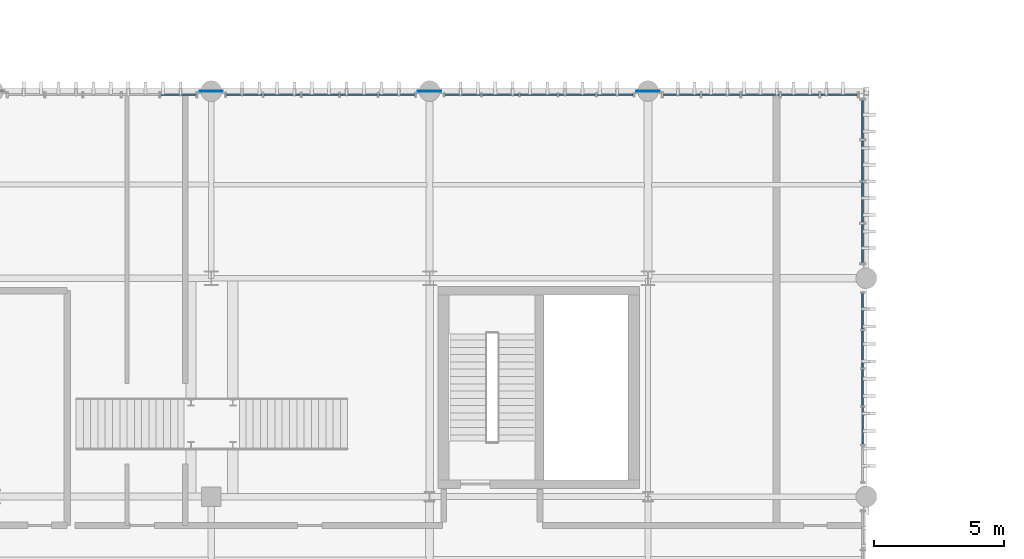
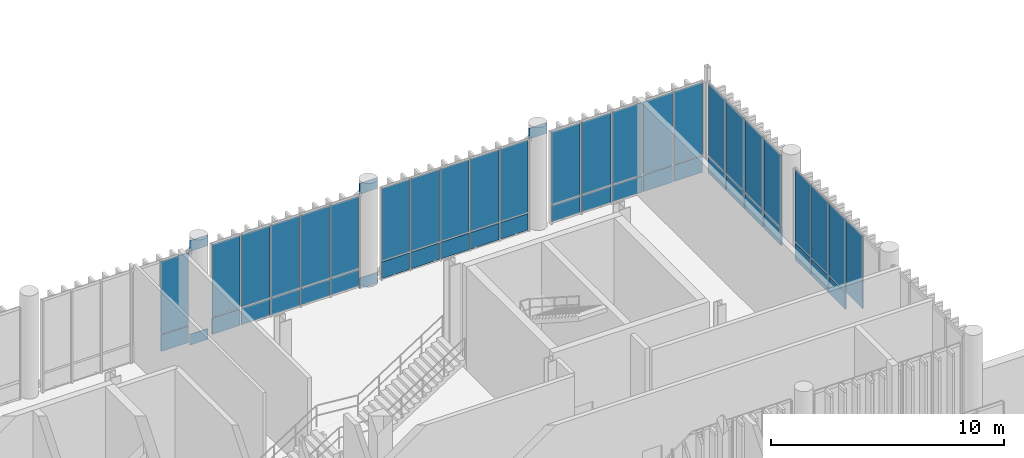
# One storey, part 100 of 128: 52 plates, 6 elements without a shape of their own.
"""IFC4 building model written with IfcOpenShell, lengths in metres."""

from ifc_helpers import new_model, si_unit, direction, frame, frame_2d, origin_with_axes, origin_2d_with_axis, place, context, subcontext, project, spatial, rectangle, extrude, material, layer, layer_set, type_object, element, aggregate, save


model = new_model("IFC4")

# Units and contexts
model_context = context("Model", 3, precision=1e-05, world=origin_with_axes(), true_north=direction((0.0, 1.0)))
body_context = subcontext(model_context, "Body", "Model", "MODEL_VIEW")
ifc_project = project(units=[si_unit("LENGTHUNIT", "METRE"), si_unit("AREAUNIT", "SQUARE_METRE"), si_unit("VOLUMEUNIT", "CUBIC_METRE"), si_unit("PLANEANGLEUNIT", "RADIAN"), si_unit("MASSUNIT", "GRAM", prefix="KILO"), si_unit("THERMODYNAMICTEMPERATUREUNIT", "KELVIN")], contexts=[model_context])

# Site, building, storey
site_placement = place(None, origin_with_axes())
site = spatial("IfcSite", under=ifc_project, at=site_placement, CompositionType="ELEMENT")
building_placement = place(site_placement, origin_with_axes())
building = spatial("IfcBuilding", under=site, at=building_placement, Name="Montbau Bow Law Courts", CompositionType="ELEMENT")
storey_placement = place(building_placement, frame((0.0, 0.0, 5.4), z_axis=(0.0, 0.0, 1.0), x_axis=(1.0, 0.0, 0.0)))
storey = spatial("IfcBuildingStorey", under=building, at=storey_placement, Name="L01", CompositionType="ELEMENT", Elevation=5.4)

# Curtain wall, plate
ifc_material_1 = material(Name="Thermally Broken Extruded Aluminium AA 6063-T6", Category="aluminium")
curtain_wall_type = type_object("IfcCurtainWallType", Name="CW-CRM-01", PredefinedType="NOTDEFINED", material=ifc_material_1)
curtain_wall_1_placement = place(None, frame((64.115, 61.66, 5.4), z_axis=(0.0, 0.0, 1.0), x_axis=(1.0, 0.0, 0.0)))
curtain_wall_1 = element("IfcCurtainWall", 1, at=curtain_wall_1_placement, inside=storey, type_object=curtain_wall_type, Name="CW-L01-147:cw_0147", PredefinedType="NOTDEFINED")
ifc_material_2 = material(Name="Triple-Glazed Low-E Argon Insulating Glass Unit", Category="glass")
ifc_layer_1 = layer(ifc_material_2, 0.044, Name="Curtain Panel", Category="glass")
ifc_layer_set_1 = layer_set([ifc_layer_1], Name="Triple-Glazed Low-E Argon Insulating Glass Unit")
plate_type_1 = type_object("IfcPlateType", Name="PL-CWP-01", PredefinedType="CURTAIN_PANEL", material=ifc_layer_set_1)
plate_1_placement = place(None, frame((70.05, 61.66, 6.379), z_axis=(0.0, -1.0, 0.0), x_axis=(1.0, 0.0, 0.0)))
plate_1 = element("IfcPlate", 2, at=plate_1_placement, type_object=plate_type_1, Name="CW-L01-147-P05-2:cw_0147_P05_2", PredefinedType="CURTAIN_PANEL", context=body_context, shape_type="SweptSolid", body=[
    extrude(rectangle(XDim=1.359, YDim=3.784, at=frame_2d((0.6795, 1.892), x_axis=(1.0, 0.0))), frame((0.0, 0.0, -0.022), z_axis=(0.0, 0.0, 1.0), x_axis=(1.0, 0.0, 0.0)), (0.0, 0.0, 1.0), 0.044),
])

# Curtain wall, plates
curtain_wall_2_placement = place(None, frame((72.515, 61.66, 5.4), z_axis=(0.0, 0.0, 1.0), x_axis=(1.0, 0.0, 0.0)))
curtain_wall_2 = element("IfcCurtainWall", 3, at=curtain_wall_2_placement, inside=storey, type_object=curtain_wall_type, Name="CW-L01-148:cw_0148", PredefinedType="NOTDEFINED")
plate_2_placement = place(None, frame((72.583, 61.66, 6.382), z_axis=(0.0, -1.0, 0.0), x_axis=(1.0, 0.0, 0.0)))
plate_2 = element("IfcPlate", 4, at=plate_2_placement, type_object=plate_type_1, Name="CW-L01-148-P01-2:cw_0148_P01_2", PredefinedType="CURTAIN_PANEL", context=body_context, shape_type="SweptSolid", body=[
    extrude(rectangle(XDim=1.372, YDim=3.776, at=frame_2d((0.686, 1.888), x_axis=(1.0, 0.0))), frame((0.0, 0.0, -0.022), z_axis=(0.0, 0.0, 1.0), x_axis=(1.0, 0.0, 0.0)), (0.0, 0.0, 1.0), 0.044),
])
plate_3_placement = place(None, frame((74.023, 61.66, 6.382), z_axis=(0.0, -1.0, 0.0), x_axis=(1.0, 0.0, 0.0)))
plate_3 = element("IfcPlate", 5, at=plate_3_placement, type_object=plate_type_1, Name="CW-L01-148-P02-2:cw_0148_P02_2", PredefinedType="CURTAIN_PANEL", context=body_context, shape_type="SweptSolid", body=[
    extrude(rectangle(XDim=1.405, YDim=3.776, at=frame_2d((0.7025, 1.888), x_axis=(1.0, 0.0))), frame((0.0, 0.0, -0.022), z_axis=(0.0, 0.0, 1.0), x_axis=(1.0, 0.0, 0.0)), (0.0, 0.0, 1.0), 0.044),
])
plate_4_placement = place(None, frame((75.497, 61.66, 6.382), z_axis=(0.0, -1.0, 0.0), x_axis=(1.0, 0.0, 0.0)))
plate_4 = element("IfcPlate", 6, at=plate_4_placement, type_object=plate_type_1, Name="CW-L01-148-P03-2:cw_0148_P03_2", PredefinedType="CURTAIN_PANEL", context=body_context, shape_type="SweptSolid", body=[
    extrude(rectangle(XDim=1.406, YDim=3.776, at=frame_2d((0.703, 1.888), x_axis=(1.0, 0.0))), frame((0.0, 0.0, -0.022), z_axis=(0.0, 0.0, 1.0), x_axis=(1.0, 0.0, 0.0)), (0.0, 0.0, 1.0), 0.044),
])
plate_5_placement = place(None, frame((76.971, 61.66, 6.382), z_axis=(0.0, -1.0, 0.0), x_axis=(1.0, 0.0, 0.0)))
plate_5 = element("IfcPlate", 7, at=plate_5_placement, type_object=plate_type_1, Name="CW-L01-148-P04-2:cw_0148_P04_2", PredefinedType="CURTAIN_PANEL", context=body_context, shape_type="SweptSolid", body=[
    extrude(rectangle(XDim=1.406, YDim=3.776, at=frame_2d((0.703, 1.888), x_axis=(1.0, 0.0))), frame((0.0, 0.0, -0.022), z_axis=(0.0, 0.0, 1.0), x_axis=(1.0, 0.0, 0.0)), (0.0, 0.0, 1.0), 0.044),
])
plate_6_placement = place(None, frame((78.445, 61.66, 6.382), z_axis=(0.0, -1.0, 0.0), x_axis=(1.0, 0.0, 0.0)))
plate_6 = element("IfcPlate", 8, at=plate_6_placement, type_object=plate_type_1, Name="CW-L01-148-P05-2:cw_0148_P05_2", PredefinedType="CURTAIN_PANEL", context=body_context, shape_type="SweptSolid", body=[
    extrude(rectangle(XDim=1.374, YDim=3.776, at=frame_2d((0.687, 1.888), x_axis=(1.0, 0.0))), frame((0.0, 0.0, -0.022), z_axis=(0.0, 0.0, 1.0), x_axis=(1.0, 0.0, 0.0)), (0.0, 0.0, 1.0), 0.044),
])

curtain_wall_3_placement = place(None, frame((80.915, 61.66, 5.4), z_axis=(0.0, 0.0, 1.0), x_axis=(1.0, 0.0, 0.0)))
curtain_wall_3 = element("IfcCurtainWall", 9, at=curtain_wall_3_placement, inside=storey, type_object=curtain_wall_type, Name="CW-L01-149:cw_0149", PredefinedType="NOTDEFINED")
plate_7_placement = place(None, frame((80.977, 61.66, 6.379), z_axis=(0.0, -1.0, 0.0), x_axis=(1.0, 0.0, 0.0)))
plate_7 = element("IfcPlate", 10, at=plate_7_placement, type_object=plate_type_1, Name="CW-L01-149-P01-2:cw_0149_P01_2", PredefinedType="CURTAIN_PANEL", context=body_context, shape_type="SweptSolid", body=[
    extrude(rectangle(XDim=1.38, YDim=3.784, at=frame_2d((0.69, 1.892), x_axis=(1.0, 0.0))), frame((0.0, 0.0, -0.022), z_axis=(0.0, 0.0, 1.0), x_axis=(1.0, 0.0, 0.0)), (0.0, 0.0, 1.0), 0.044),
])
plate_8_placement = place(None, frame((82.421, 61.66, 6.379), z_axis=(0.0, -1.0, 0.0), x_axis=(1.0, 0.0, 0.0)))
plate_8 = element("IfcPlate", 11, at=plate_8_placement, type_object=plate_type_1, Name="CW-L01-149-P02-2:cw_0149_P02_2", PredefinedType="CURTAIN_PANEL", context=body_context, shape_type="SweptSolid", body=[
    extrude(rectangle(XDim=1.41, YDim=3.784, at=frame_2d((0.705, 1.892), x_axis=(1.0, 0.0))), frame((0.0, 0.0, -0.022), z_axis=(0.0, 0.0, 1.0), x_axis=(1.0, 0.0, 0.0)), (0.0, 0.0, 1.0), 0.044),
])
plate_9_placement = place(None, frame((83.895, 61.66, 6.379), z_axis=(0.0, -1.0, 0.0), x_axis=(1.0, 0.0, 0.0)))
plate_9 = element("IfcPlate", 12, at=plate_9_placement, type_object=plate_type_1, Name="CW-L01-149-P03-2:cw_0149_P03_2", PredefinedType="CURTAIN_PANEL", context=body_context, shape_type="SweptSolid", body=[
    extrude(rectangle(XDim=1.41, YDim=3.784, at=frame_2d((0.705, 1.892), x_axis=(1.0, 0.0))), frame((0.0, 0.0, -0.022), z_axis=(0.0, 0.0, 1.0), x_axis=(1.0, 0.0, 0.0)), (0.0, 0.0, 1.0), 0.044),
])
plate_10_placement = place(None, frame((85.369, 61.66, 6.379), z_axis=(0.0, -1.0, 0.0), x_axis=(1.0, 0.0, 0.0)))
plate_10 = element("IfcPlate", 13, at=plate_10_placement, type_object=plate_type_1, Name="CW-L01-149-P04-2:cw_0149_P04_2", PredefinedType="CURTAIN_PANEL", context=body_context, shape_type="SweptSolid", body=[
    extrude(rectangle(XDim=1.41, YDim=3.784, at=frame_2d((0.705, 1.892), x_axis=(1.0, 0.0))), frame((0.0, 0.0, -0.022), z_axis=(0.0, 0.0, 1.0), x_axis=(1.0, 0.0, 0.0)), (0.0, 0.0, 1.0), 0.044),
])
plate_11_placement = place(None, frame((86.843, 61.66, 6.379), z_axis=(0.0, -1.0, 0.0), x_axis=(1.0, 0.0, 0.0)))
plate_11 = element("IfcPlate", 14, at=plate_11_placement, type_object=plate_type_1, Name="CW-L01-149-P05-2:cw_0149_P05_2", PredefinedType="CURTAIN_PANEL", context=body_context, shape_type="SweptSolid", body=[
    extrude(rectangle(XDim=1.38, YDim=3.784, at=frame_2d((0.69, 1.892), x_axis=(1.0, 0.0))), frame((0.0, 0.0, -0.022), z_axis=(0.0, 0.0, 1.0), x_axis=(1.0, 0.0, 0.0)), (0.0, 0.0, 1.0), 0.044),
])

curtain_wall_4_placement = place(None, frame((89.315, 61.66, 5.4), z_axis=(0.0, 0.0, 1.0), x_axis=(1.0, 0.0, 0.0)))
curtain_wall_4 = element("IfcCurtainWall", 15, at=curtain_wall_4_placement, inside=storey, type_object=curtain_wall_type, Name="CW-L01-150:cw_0150", PredefinedType="NOTDEFINED")
plate_12_placement = place(None, frame((89.391, 61.66, 6.382), z_axis=(0.0, -1.0, 0.0), x_axis=(1.0, 0.0, 0.0)))
plate_12 = element("IfcPlate", 16, at=plate_12_placement, type_object=plate_type_1, Name="CW-L01-150-P01-2:cw_0150_P01_2", PredefinedType="CURTAIN_PANEL", context=body_context, shape_type="SweptSolid", body=[
    extrude(rectangle(XDim=1.408, YDim=3.776, at=frame_2d((0.704, 1.888), x_axis=(1.0, 0.0))), frame((0.0, 0.0, -0.022), z_axis=(0.0, 0.0, 1.0), x_axis=(1.0, 0.0, 0.0)), (0.0, 0.0, 1.0), 0.044),
])
plate_13_placement = place(None, frame((90.879, 61.66, 6.382), z_axis=(0.0, -1.0, 0.0), x_axis=(1.0, 0.0, 0.0)))
plate_13 = element("IfcPlate", 17, at=plate_13_placement, type_object=plate_type_1, Name="CW-L01-150-P02-2:cw_0150_P02_2", PredefinedType="CURTAIN_PANEL", context=body_context, shape_type="SweptSolid", body=[
    extrude(rectangle(XDim=1.444, YDim=3.776, at=frame_2d((0.722, 1.888), x_axis=(1.0, 0.0))), frame((0.0, 0.0, -0.022), z_axis=(0.0, 0.0, 1.0), x_axis=(1.0, 0.0, 0.0)), (0.0, 0.0, 1.0), 0.044),
])
plate_14_placement = place(None, frame((92.402, 61.66, 6.382), z_axis=(0.0, -1.0, 0.0), x_axis=(1.0, 0.0, 0.0)))
plate_14 = element("IfcPlate", 18, at=plate_14_placement, type_object=plate_type_1, Name="CW-L01-150-P03-2:cw_0150_P03_2", PredefinedType="CURTAIN_PANEL", context=body_context, shape_type="SweptSolid", body=[
    extrude(rectangle(XDim=1.445, YDim=3.776, at=frame_2d((0.7225, 1.888), x_axis=(1.0, 0.0))), frame((0.0, 0.0, -0.022), z_axis=(0.0, 0.0, 1.0), x_axis=(1.0, 0.0, 0.0)), (0.0, 0.0, 1.0), 0.044),
])
plate_15_placement = place(None, frame((93.925, 61.66, 6.382), z_axis=(0.0, -1.0, 0.0), x_axis=(1.0, 0.0, 0.0)))
plate_15 = element("IfcPlate", 19, at=plate_15_placement, type_object=plate_type_1, Name="CW-L01-150-P04-2:cw_0150_P04_2", PredefinedType="CURTAIN_PANEL", context=body_context, shape_type="SweptSolid", body=[
    extrude(rectangle(XDim=1.445, YDim=3.776, at=frame_2d((0.7225, 1.888), x_axis=(1.0, 0.0))), frame((0.0, 0.0, -0.022), z_axis=(0.0, 0.0, 1.0), x_axis=(1.0, 0.0, 0.0)), (0.0, 0.0, 1.0), 0.044),
])
plate_16_placement = place(None, frame((95.448, 61.66, 6.382), z_axis=(0.0, -1.0, 0.0), x_axis=(1.0, 0.0, 0.0)))
plate_16 = element("IfcPlate", 20, at=plate_16_placement, type_object=plate_type_1, Name="CW-L01-150-P05-2:cw_0150_P05_2", PredefinedType="CURTAIN_PANEL", context=body_context, shape_type="SweptSolid", body=[
    extrude(rectangle(XDim=1.409, YDim=3.776, at=frame_2d((0.7045, 1.888), x_axis=(1.0, 0.0))), frame((0.0, 0.0, -0.022), z_axis=(0.0, 0.0, 1.0), x_axis=(1.0, 0.0, 0.0)), (0.0, 0.0, 1.0), 0.044),
])

curtain_wall_5_placement = place(None, frame((97.06, 46.715, 5.4), z_axis=(0.0, 0.0, 1.0), x_axis=(1.0, 0.0, 0.0)))
curtain_wall_5 = element("IfcCurtainWall", 21, at=curtain_wall_5_placement, inside=storey, type_object=curtain_wall_type, Name="CW-L01-155:cw_0155", PredefinedType="NOTDEFINED")
plate_17_placement = place(None, frame((97.06, 48.221, 6.379), z_axis=(1.0, 0.0, 0.0), x_axis=(0.0, 1.0, 0.0)))
plate_17 = element("IfcPlate", 22, at=plate_17_placement, type_object=plate_type_1, Name="CW-L01-155-P02-2:cw_0155_P02_2", PredefinedType="CURTAIN_PANEL", context=body_context, shape_type="SweptSolid", body=[
    extrude(rectangle(XDim=1.41, YDim=3.784, at=frame_2d((0.705, 1.892), x_axis=(1.0, 0.0))), frame((0.0, 0.0, -0.022), z_axis=(0.0, 0.0, 1.0), x_axis=(1.0, 0.0, 0.0)), (0.0, 0.0, 1.0), 0.044),
])
plate_18_placement = place(None, frame((97.06, 49.695, 6.379), z_axis=(1.0, 0.0, 0.0), x_axis=(0.0, 1.0, 0.0)))
plate_18 = element("IfcPlate", 23, at=plate_18_placement, type_object=plate_type_1, Name="CW-L01-155-P03-2:cw_0155_P03_2", PredefinedType="CURTAIN_PANEL", context=body_context, shape_type="SweptSolid", body=[
    extrude(rectangle(XDim=1.41, YDim=3.784, at=frame_2d((0.705, 1.892), x_axis=(1.0, 0.0))), frame((0.0, 0.0, -0.022), z_axis=(0.0, 0.0, 1.0), x_axis=(1.0, 0.0, 0.0)), (0.0, 0.0, 1.0), 0.044),
])
plate_19_placement = place(None, frame((97.06, 51.169, 6.379), z_axis=(1.0, 0.0, 0.0), x_axis=(0.0, 1.0, 0.0)))
plate_19 = element("IfcPlate", 24, at=plate_19_placement, type_object=plate_type_1, Name="CW-L01-155-P04-2:cw_0155_P04_2", PredefinedType="CURTAIN_PANEL", context=body_context, shape_type="SweptSolid", body=[
    extrude(rectangle(XDim=1.41, YDim=3.784, at=frame_2d((0.705, 1.892), x_axis=(1.0, 0.0))), frame((0.0, 0.0, -0.022), z_axis=(0.0, 0.0, 1.0), x_axis=(1.0, 0.0, 0.0)), (0.0, 0.0, 1.0), 0.044),
])
plate_20_placement = place(None, frame((97.06, 52.643, 6.379), z_axis=(1.0, 0.0, 0.0), x_axis=(0.0, 1.0, 0.0)))
plate_20 = element("IfcPlate", 25, at=plate_20_placement, type_object=plate_type_1, Name="CW-L01-155-P05-2:cw_0155_P05_2", PredefinedType="CURTAIN_PANEL", context=body_context, shape_type="SweptSolid", body=[
    extrude(rectangle(XDim=1.38, YDim=3.784, at=frame_2d((0.69, 1.892), x_axis=(1.0, 0.0))), frame((0.0, 0.0, -0.022), z_axis=(0.0, 0.0, 1.0), x_axis=(1.0, 0.0, 0.0)), (0.0, 0.0, 1.0), 0.044),
])

curtain_wall_6_placement = place(None, frame((97.06, 55.115, 5.4), z_axis=(0.0, 0.0, 1.0), x_axis=(1.0, 0.0, 0.0)))
curtain_wall_6 = element("IfcCurtainWall", 26, at=curtain_wall_6_placement, inside=storey, type_object=curtain_wall_type, Name="CW-L01-156:cw_0156", PredefinedType="NOTDEFINED")
plate_21_placement = place(None, frame((97.06, 55.191, 6.382), z_axis=(1.0, 0.0, 0.0), x_axis=(0.0, 1.0, 0.0)))
plate_21 = element("IfcPlate", 27, at=plate_21_placement, type_object=plate_type_1, Name="CW-L01-156-P01-2:cw_0156_P01_2", PredefinedType="CURTAIN_PANEL", context=body_context, shape_type="SweptSolid", body=[
    extrude(rectangle(XDim=1.489, YDim=3.776, at=frame_2d((0.7445, 1.888), x_axis=(1.0, 0.0))), frame((0.0, 0.0, -0.022), z_axis=(0.0, 0.0, 1.0), x_axis=(1.0, 0.0, 0.0)), (0.0, 0.0, 1.0), 0.044),
])
plate_22_placement = place(None, frame((97.06, 56.759, 6.382), z_axis=(1.0, 0.0, 0.0), x_axis=(0.0, 1.0, 0.0)))
plate_22 = element("IfcPlate", 28, at=plate_22_placement, type_object=plate_type_1, Name="CW-L01-156-P02-2:cw_0156_P02_2", PredefinedType="CURTAIN_PANEL", context=body_context, shape_type="SweptSolid", body=[
    extrude(rectangle(XDim=1.525, YDim=3.776, at=frame_2d((0.7625, 1.888), x_axis=(1.0, 0.0))), frame((0.0, 0.0, -0.022), z_axis=(0.0, 0.0, 1.0), x_axis=(1.0, 0.0, 0.0)), (0.0, 0.0, 1.0), 0.044),
])
plate_23_placement = place(None, frame((97.06, 58.363, 6.382), z_axis=(1.0, 0.0, 0.0), x_axis=(0.0, 1.0, 0.0)))
plate_23 = element("IfcPlate", 29, at=plate_23_placement, type_object=plate_type_1, Name="CW-L01-156-P03-2:cw_0156_P03_2", PredefinedType="CURTAIN_PANEL", context=body_context, shape_type="SweptSolid", body=[
    extrude(rectangle(XDim=1.526, YDim=3.776, at=frame_2d((0.763, 1.888), x_axis=(1.0, 0.0))), frame((0.0, 0.0, -0.022), z_axis=(0.0, 0.0, 1.0), x_axis=(1.0, 0.0, 0.0)), (0.0, 0.0, 1.0), 0.044),
])
plate_24_placement = place(None, frame((97.06, 59.967, 6.382), z_axis=(1.0, 0.0, 0.0), x_axis=(0.0, 1.0, 0.0)))
plate_24 = element("IfcPlate", 30, at=plate_24_placement, type_object=plate_type_1, Name="CW-L01-156-P04-2:cw_0156_P04_2", PredefinedType="CURTAIN_PANEL", context=body_context, shape_type="SweptSolid", body=[
    extrude(rectangle(XDim=1.488, YDim=3.776, at=frame_2d((0.744, 1.888), x_axis=(1.0, 0.0))), frame((0.0, 0.0, -0.022), z_axis=(0.0, 0.0, 1.0), x_axis=(1.0, 0.0, 0.0)), (0.0, 0.0, 1.0), 0.044),
])

# Plate
ifc_material_3 = material(Name="Insulated Ceramic-Frit Spandrel Glazing Unit", Category="glass")
ifc_layer_2 = layer(ifc_material_3, 0.056, Name="Curtain Panel", Category="glass")
ifc_layer_set_2 = layer_set([ifc_layer_2], Name="Insulated Ceramic-Frit Spandrel Glazing Unit")
plate_type_2 = type_object("IfcPlateType", Name="PL-CWP-02", PredefinedType="CURTAIN_PANEL", material=ifc_layer_set_2)
plate_25_placement = place(None, frame((70.05, 61.66, 5.457), z_axis=(0.0, -1.0, 0.0), x_axis=(1.0, 0.0, 0.0)))
plate_25 = element("IfcPlate", 31, at=plate_25_placement, type_object=plate_type_2, Name="CW-L01-147-P05-1:cw_0147_P05_1", PredefinedType="CURTAIN_PANEL", context=body_context, shape_type="SweptSolid", body=[
    extrude(rectangle(XDim=1.359, YDim=0.864, at=frame_2d((0.6795, 0.432), x_axis=(1.0, 0.0))), frame((0.0, 0.0, -0.028), z_axis=(0.0, 0.0, 1.0), x_axis=(1.0, 0.0, 0.0)), (0.0, 0.0, 1.0), 0.056),
])

aggregate(curtain_wall_1, [plate_25, plate_1])

plate_26_placement = place(None, frame((72.583, 61.66, 5.462), z_axis=(0.0, -1.0, 0.0), x_axis=(1.0, 0.0, 0.0)))
plate_26 = element("IfcPlate", 32, at=plate_26_placement, type_object=plate_type_2, Name="CW-L01-148-P01-1:cw_0148_P01_1", PredefinedType="CURTAIN_PANEL", context=body_context, shape_type="SweptSolid", body=[
    extrude(rectangle(XDim=1.372, YDim=0.856, at=frame_2d((0.686, 0.428), x_axis=(1.0, 0.0))), frame((0.0, 0.0, -0.028), z_axis=(0.0, 0.0, 1.0), x_axis=(1.0, 0.0, 0.0)), (0.0, 0.0, 1.0), 0.056),
])

plate_27_placement = place(None, frame((74.023, 61.66, 5.462), z_axis=(0.0, -1.0, 0.0), x_axis=(1.0, 0.0, 0.0)))
plate_27 = element("IfcPlate", 33, at=plate_27_placement, type_object=plate_type_2, Name="CW-L01-148-P02-1:cw_0148_P02_1", PredefinedType="CURTAIN_PANEL", context=body_context, shape_type="SweptSolid", body=[
    extrude(rectangle(XDim=1.405, YDim=0.856, at=frame_2d((0.7025, 0.428), x_axis=(1.0, 0.0))), frame((0.0, 0.0, -0.028), z_axis=(0.0, 0.0, 1.0), x_axis=(1.0, 0.0, 0.0)), (0.0, 0.0, 1.0), 0.056),
])

plate_28_placement = place(None, frame((75.497, 61.66, 5.462), z_axis=(0.0, -1.0, 0.0), x_axis=(1.0, 0.0, 0.0)))
plate_28 = element("IfcPlate", 34, at=plate_28_placement, type_object=plate_type_2, Name="CW-L01-148-P03-1:cw_0148_P03_1", PredefinedType="CURTAIN_PANEL", context=body_context, shape_type="SweptSolid", body=[
    extrude(rectangle(XDim=1.406, YDim=0.856, at=frame_2d((0.703, 0.428), x_axis=(1.0, 0.0))), frame((0.0, 0.0, -0.028), z_axis=(0.0, 0.0, 1.0), x_axis=(1.0, 0.0, 0.0)), (0.0, 0.0, 1.0), 0.056),
])

plate_29_placement = place(None, frame((76.971, 61.66, 5.462), z_axis=(0.0, -1.0, 0.0), x_axis=(1.0, 0.0, 0.0)))
plate_29 = element("IfcPlate", 35, at=plate_29_placement, type_object=plate_type_2, Name="CW-L01-148-P04-1:cw_0148_P04_1", PredefinedType="CURTAIN_PANEL", context=body_context, shape_type="SweptSolid", body=[
    extrude(rectangle(XDim=1.406, YDim=0.856, at=frame_2d((0.703, 0.428), x_axis=(1.0, 0.0))), frame((0.0, 0.0, -0.028), z_axis=(0.0, 0.0, 1.0), x_axis=(1.0, 0.0, 0.0)), (0.0, 0.0, 1.0), 0.056),
])

plate_30_placement = place(None, frame((78.445, 61.66, 5.462), z_axis=(0.0, -1.0, 0.0), x_axis=(1.0, 0.0, 0.0)))
plate_30 = element("IfcPlate", 36, at=plate_30_placement, type_object=plate_type_2, Name="CW-L01-148-P05-1:cw_0148_P05_1", PredefinedType="CURTAIN_PANEL", context=body_context, shape_type="SweptSolid", body=[
    extrude(rectangle(XDim=1.374, YDim=0.856, at=frame_2d((0.687, 0.428), x_axis=(1.0, 0.0))), frame((0.0, 0.0, -0.028), z_axis=(0.0, 0.0, 1.0), x_axis=(1.0, 0.0, 0.0)), (0.0, 0.0, 1.0), 0.056),
])

aggregate(curtain_wall_2, [plate_26, plate_2, plate_27, plate_3, plate_28, plate_4, plate_29, plate_5, plate_30, plate_6])

plate_31_placement = place(None, frame((80.977, 61.66, 5.457), z_axis=(0.0, -1.0, 0.0), x_axis=(1.0, 0.0, 0.0)))
plate_31 = element("IfcPlate", 37, at=plate_31_placement, type_object=plate_type_2, Name="CW-L01-149-P01-1:cw_0149_P01_1", PredefinedType="CURTAIN_PANEL", context=body_context, shape_type="SweptSolid", body=[
    extrude(rectangle(XDim=1.38, YDim=0.864, at=frame_2d((0.69, 0.432), x_axis=(1.0, 0.0))), frame((0.0, 0.0, -0.028), z_axis=(0.0, 0.0, 1.0), x_axis=(1.0, 0.0, 0.0)), (0.0, 0.0, 1.0), 0.056),
])

plate_32_placement = place(None, frame((82.421, 61.66, 5.457), z_axis=(0.0, -1.0, 0.0), x_axis=(1.0, 0.0, 0.0)))
plate_32 = element("IfcPlate", 38, at=plate_32_placement, type_object=plate_type_2, Name="CW-L01-149-P02-1:cw_0149_P02_1", PredefinedType="CURTAIN_PANEL", context=body_context, shape_type="SweptSolid", body=[
    extrude(rectangle(XDim=1.41, YDim=0.864, at=frame_2d((0.705, 0.432), x_axis=(1.0, 0.0))), frame((0.0, 0.0, -0.028), z_axis=(0.0, 0.0, 1.0), x_axis=(1.0, 0.0, 0.0)), (0.0, 0.0, 1.0), 0.056),
])

plate_33_placement = place(None, frame((83.895, 61.66, 5.457), z_axis=(0.0, -1.0, 0.0), x_axis=(1.0, 0.0, 0.0)))
plate_33 = element("IfcPlate", 39, at=plate_33_placement, type_object=plate_type_2, Name="CW-L01-149-P03-1:cw_0149_P03_1", PredefinedType="CURTAIN_PANEL", context=body_context, shape_type="SweptSolid", body=[
    extrude(rectangle(XDim=1.41, YDim=0.864, at=frame_2d((0.705, 0.432), x_axis=(1.0, 0.0))), frame((0.0, 0.0, -0.028), z_axis=(0.0, 0.0, 1.0), x_axis=(1.0, 0.0, 0.0)), (0.0, 0.0, 1.0), 0.056),
])

plate_34_placement = place(None, frame((85.369, 61.66, 5.457), z_axis=(0.0, -1.0, 0.0), x_axis=(1.0, 0.0, 0.0)))
plate_34 = element("IfcPlate", 40, at=plate_34_placement, type_object=plate_type_2, Name="CW-L01-149-P04-1:cw_0149_P04_1", PredefinedType="CURTAIN_PANEL", context=body_context, shape_type="SweptSolid", body=[
    extrude(rectangle(XDim=1.41, YDim=0.864, at=frame_2d((0.705, 0.432), x_axis=(1.0, 0.0))), frame((0.0, 0.0, -0.028), z_axis=(0.0, 0.0, 1.0), x_axis=(1.0, 0.0, 0.0)), (0.0, 0.0, 1.0), 0.056),
])

plate_35_placement = place(None, frame((86.843, 61.66, 5.457), z_axis=(0.0, -1.0, 0.0), x_axis=(1.0, 0.0, 0.0)))
plate_35 = element("IfcPlate", 41, at=plate_35_placement, type_object=plate_type_2, Name="CW-L01-149-P05-1:cw_0149_P05_1", PredefinedType="CURTAIN_PANEL", context=body_context, shape_type="SweptSolid", body=[
    extrude(rectangle(XDim=1.38, YDim=0.864, at=frame_2d((0.69, 0.432), x_axis=(1.0, 0.0))), frame((0.0, 0.0, -0.028), z_axis=(0.0, 0.0, 1.0), x_axis=(1.0, 0.0, 0.0)), (0.0, 0.0, 1.0), 0.056),
])

aggregate(curtain_wall_3, [plate_31, plate_7, plate_32, plate_8, plate_33, plate_9, plate_34, plate_10, plate_35, plate_11])

plate_36_placement = place(None, frame((89.391, 61.66, 5.462), z_axis=(0.0, -1.0, 0.0), x_axis=(1.0, 0.0, 0.0)))
plate_36 = element("IfcPlate", 42, at=plate_36_placement, type_object=plate_type_2, Name="CW-L01-150-P01-1:cw_0150_P01_1", PredefinedType="CURTAIN_PANEL", context=body_context, shape_type="SweptSolid", body=[
    extrude(rectangle(XDim=1.408, YDim=0.856, at=frame_2d((0.704, 0.428), x_axis=(1.0, 0.0))), frame((0.0, 0.0, -0.028), z_axis=(0.0, 0.0, 1.0), x_axis=(1.0, 0.0, 0.0)), (0.0, 0.0, 1.0), 0.056),
])

plate_37_placement = place(None, frame((90.879, 61.66, 5.462), z_axis=(0.0, -1.0, 0.0), x_axis=(1.0, 0.0, 0.0)))
plate_37 = element("IfcPlate", 43, at=plate_37_placement, type_object=plate_type_2, Name="CW-L01-150-P02-1:cw_0150_P02_1", PredefinedType="CURTAIN_PANEL", context=body_context, shape_type="SweptSolid", body=[
    extrude(rectangle(XDim=1.444, YDim=0.856, at=frame_2d((0.722, 0.428), x_axis=(1.0, 0.0))), frame((0.0, 0.0, -0.028), z_axis=(0.0, 0.0, 1.0), x_axis=(1.0, 0.0, 0.0)), (0.0, 0.0, 1.0), 0.056),
])

plate_38_placement = place(None, frame((92.402, 61.66, 5.462), z_axis=(0.0, -1.0, 0.0), x_axis=(1.0, 0.0, 0.0)))
plate_38 = element("IfcPlate", 44, at=plate_38_placement, type_object=plate_type_2, Name="CW-L01-150-P03-1:cw_0150_P03_1", PredefinedType="CURTAIN_PANEL", context=body_context, shape_type="SweptSolid", body=[
    extrude(rectangle(XDim=1.445, YDim=0.856, at=frame_2d((0.7225, 0.428), x_axis=(1.0, 0.0))), frame((0.0, 0.0, -0.028), z_axis=(0.0, 0.0, 1.0), x_axis=(1.0, 0.0, 0.0)), (0.0, 0.0, 1.0), 0.056),
])

plate_39_placement = place(None, frame((93.925, 61.66, 5.462), z_axis=(0.0, -1.0, 0.0), x_axis=(1.0, 0.0, 0.0)))
plate_39 = element("IfcPlate", 45, at=plate_39_placement, type_object=plate_type_2, Name="CW-L01-150-P04-1:cw_0150_P04_1", PredefinedType="CURTAIN_PANEL", context=body_context, shape_type="SweptSolid", body=[
    extrude(rectangle(XDim=1.445, YDim=0.856, at=frame_2d((0.7225, 0.428), x_axis=(1.0, 0.0))), frame((0.0, 0.0, -0.028), z_axis=(0.0, 0.0, 1.0), x_axis=(1.0, 0.0, 0.0)), (0.0, 0.0, 1.0), 0.056),
])

plate_40_placement = place(None, frame((95.448, 61.66, 5.462), z_axis=(0.0, -1.0, 0.0), x_axis=(1.0, 0.0, 0.0)))
plate_40 = element("IfcPlate", 46, at=plate_40_placement, type_object=plate_type_2, Name="CW-L01-150-P05-1:cw_0150_P05_1", PredefinedType="CURTAIN_PANEL", context=body_context, shape_type="SweptSolid", body=[
    extrude(rectangle(XDim=1.409, YDim=0.856, at=frame_2d((0.7045, 0.428), x_axis=(1.0, 0.0))), frame((0.0, 0.0, -0.028), z_axis=(0.0, 0.0, 1.0), x_axis=(1.0, 0.0, 0.0)), (0.0, 0.0, 1.0), 0.056),
])

aggregate(curtain_wall_4, [plate_36, plate_12, plate_37, plate_13, plate_38, plate_14, plate_39, plate_15, plate_40, plate_16])

plate_41_placement = place(None, frame((97.06, 49.695, 5.457), z_axis=(1.0, 0.0, 0.0), x_axis=(0.0, 1.0, 0.0)))
plate_41 = element("IfcPlate", 47, at=plate_41_placement, type_object=plate_type_2, Name="CW-L01-155-P03-1:cw_0155_P03_1", PredefinedType="CURTAIN_PANEL", context=body_context, shape_type="SweptSolid", body=[
    extrude(rectangle(XDim=1.41, YDim=0.864, at=frame_2d((0.705, 0.432), x_axis=(1.0, 0.0))), frame((0.0, 0.0, -0.028), z_axis=(0.0, 0.0, 1.0), x_axis=(1.0, 0.0, 0.0)), (0.0, 0.0, 1.0), 0.056),
])

plate_42_placement = place(None, frame((97.06, 51.169, 5.457), z_axis=(1.0, 0.0, 0.0), x_axis=(0.0, 1.0, 0.0)))
plate_42 = element("IfcPlate", 48, at=plate_42_placement, type_object=plate_type_2, Name="CW-L01-155-P04-1:cw_0155_P04_1", PredefinedType="CURTAIN_PANEL", context=body_context, shape_type="SweptSolid", body=[
    extrude(rectangle(XDim=1.41, YDim=0.864, at=frame_2d((0.705, 0.432), x_axis=(1.0, 0.0))), frame((0.0, 0.0, -0.028), z_axis=(0.0, 0.0, 1.0), x_axis=(1.0, 0.0, 0.0)), (0.0, 0.0, 1.0), 0.056),
])

plate_43_placement = place(None, frame((97.06, 52.643, 5.457), z_axis=(1.0, 0.0, 0.0), x_axis=(0.0, 1.0, 0.0)))
plate_43 = element("IfcPlate", 49, at=plate_43_placement, type_object=plate_type_2, Name="CW-L01-155-P05-1:cw_0155_P05_1", PredefinedType="CURTAIN_PANEL", context=body_context, shape_type="SweptSolid", body=[
    extrude(rectangle(XDim=1.38, YDim=0.864, at=frame_2d((0.69, 0.432), x_axis=(1.0, 0.0))), frame((0.0, 0.0, -0.028), z_axis=(0.0, 0.0, 1.0), x_axis=(1.0, 0.0, 0.0)), (0.0, 0.0, 1.0), 0.056),
])

aggregate(curtain_wall_5, [plate_17, plate_41, plate_18, plate_42, plate_19, plate_43, plate_20])

plate_44_placement = place(None, frame((97.06, 55.191, 5.462), z_axis=(1.0, 0.0, 0.0), x_axis=(0.0, 1.0, 0.0)))
plate_44 = element("IfcPlate", 50, at=plate_44_placement, type_object=plate_type_2, Name="CW-L01-156-P01-1:cw_0156_P01_1", PredefinedType="CURTAIN_PANEL", context=body_context, shape_type="SweptSolid", body=[
    extrude(rectangle(XDim=1.489, YDim=0.856, at=frame_2d((0.7445, 0.428), x_axis=(1.0, 0.0))), frame((0.0, 0.0, -0.028), z_axis=(0.0, 0.0, 1.0), x_axis=(1.0, 0.0, 0.0)), (0.0, 0.0, 1.0), 0.056),
])

plate_45_placement = place(None, frame((97.06, 56.759, 5.462), z_axis=(1.0, 0.0, 0.0), x_axis=(0.0, 1.0, 0.0)))
plate_45 = element("IfcPlate", 51, at=plate_45_placement, type_object=plate_type_2, Name="CW-L01-156-P02-1:cw_0156_P02_1", PredefinedType="CURTAIN_PANEL", context=body_context, shape_type="SweptSolid", body=[
    extrude(rectangle(XDim=1.525, YDim=0.856, at=frame_2d((0.7625, 0.428), x_axis=(1.0, 0.0))), frame((0.0, 0.0, -0.028), z_axis=(0.0, 0.0, 1.0), x_axis=(1.0, 0.0, 0.0)), (0.0, 0.0, 1.0), 0.056),
])

plate_46_placement = place(None, frame((97.06, 58.363, 5.462), z_axis=(1.0, 0.0, 0.0), x_axis=(0.0, 1.0, 0.0)))
plate_46 = element("IfcPlate", 52, at=plate_46_placement, type_object=plate_type_2, Name="CW-L01-156-P03-1:cw_0156_P03_1", PredefinedType="CURTAIN_PANEL", context=body_context, shape_type="SweptSolid", body=[
    extrude(rectangle(XDim=1.526, YDim=0.856, at=frame_2d((0.763, 0.428), x_axis=(1.0, 0.0))), frame((0.0, 0.0, -0.028), z_axis=(0.0, 0.0, 1.0), x_axis=(1.0, 0.0, 0.0)), (0.0, 0.0, 1.0), 0.056),
])

plate_47_placement = place(None, frame((97.06, 59.967, 5.462), z_axis=(1.0, 0.0, 0.0), x_axis=(0.0, 1.0, 0.0)))
plate_47 = element("IfcPlate", 53, at=plate_47_placement, type_object=plate_type_2, Name="CW-L01-156-P04-1:cw_0156_P04_1", PredefinedType="CURTAIN_PANEL", context=body_context, shape_type="SweptSolid", body=[
    extrude(rectangle(XDim=1.488, YDim=0.856, at=frame_2d((0.744, 0.428), x_axis=(1.0, 0.0))), frame((0.0, 0.0, -0.028), z_axis=(0.0, 0.0, 1.0), x_axis=(1.0, 0.0, 0.0)), (0.0, 0.0, 1.0), 0.056),
])

aggregate(curtain_wall_6, [plate_44, plate_21, plate_45, plate_22, plate_46, plate_23, plate_47, plate_24])

# Plates
ifc_material_4 = material(Name="Steel CSA G40.21 Grade 350WT (350 MPa)", Category="steel")
ifc_layer_3 = layer(ifc_material_4, 0.032, Name="Gusset Plate", Category="steel")
ifc_layer_set_3 = layer_set([ifc_layer_3], Name="Steel CSA G40.21 Grade 350WT (350 MPa)")
plate_type_3 = type_object("IfcPlateType", Name="PL-GUS-01", PredefinedType="USERDEFINED", material=ifc_layer_set_3)
for number, where, z_axis, x_axis, name in (
    (54, (80.4, 61.8, 5.17), (0.0, 0.0, 1.0), (1.0, 0.0, 0.0), "BGP-L01-108:plt_0139"),
    (55, (88.8, 61.8, 10.077), (0.0, 0.0, 1.0), (1.0, 0.0, 0.0), "BGP-L01-109:plt_0140"),
    (56, (72.0, 61.8, 5.17), (0.0, 0.0, 1.0), (1.0, 0.0, 0.0), "BGP-L01-120:plt_0151"),
    (57, (80.4, 61.8, 10.128), (0.0, 0.0, 1.0), (1.0, 0.0, 0.0), "BGP-L01-121:plt_0152"),
    (58, (72.0, 61.8, 10.077), (0.0, 0.0, 1.0), (1.0, 0.0, 0.0), "BGP-L01-129:plt_0160"),
):
    element("IfcPlate", number, at=place(None, frame(where, z_axis=z_axis, x_axis=x_axis)), inside=storey, type_object=plate_type_3, Name=name, ObjectType="GUSSET_PLATE", PredefinedType="USERDEFINED", context=body_context, shape_type="SweptSolid", body=[
        extrude(rectangle(XDim=0.9, YDim=0.032, at=origin_2d_with_axis()), origin_with_axes(), (0.0, 0.0, 1.0), 0.56),
    ])

save(model, "model.ifc")
